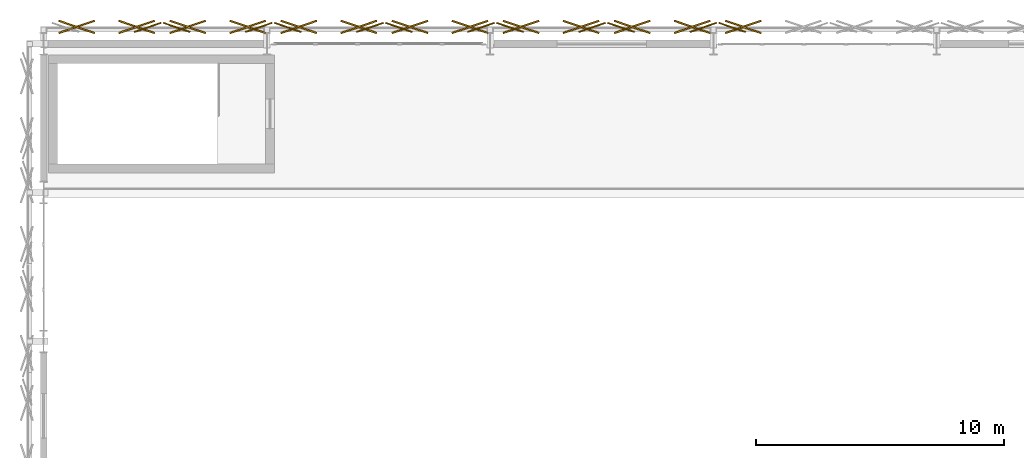
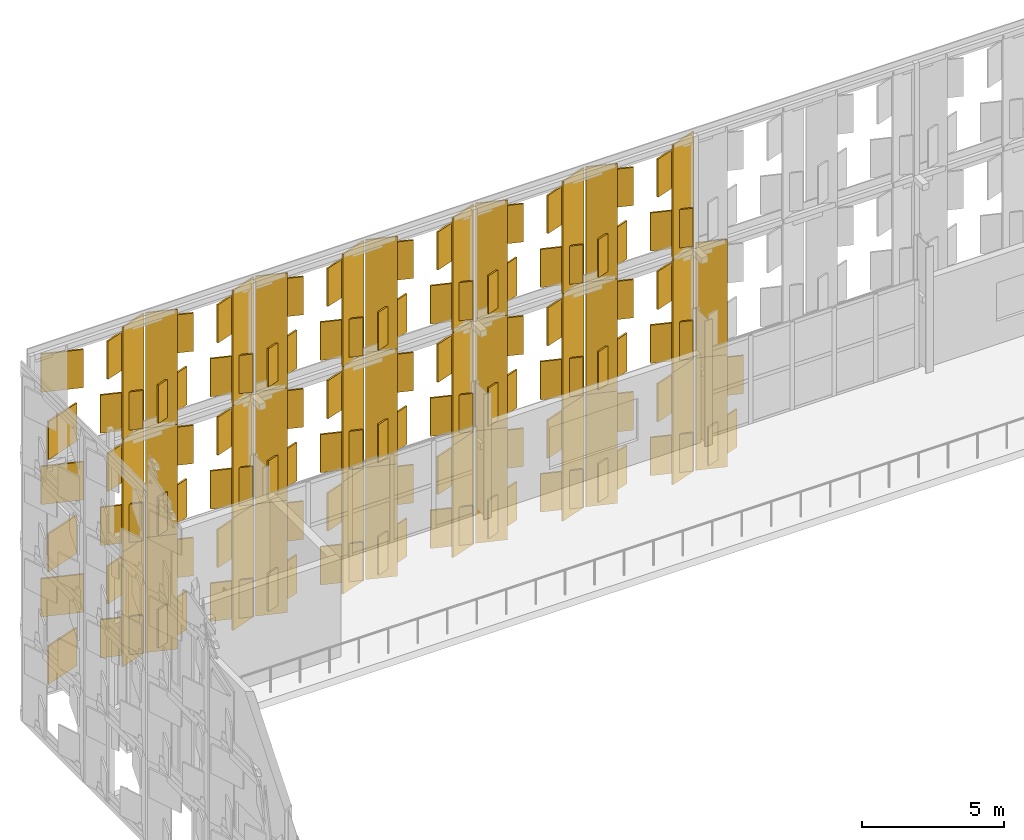
# One storey, part 195 of 210: 109 coverings.
"""IFC4 building model written with IfcOpenShell, lengths in metres."""

from ifc_helpers import new_model, si_unit, direction, frame, origin, origin_2d, place, context, subcontext, project, spatial, rectangle, extrude, material, layer, layer_set, type_object, element, save


model = new_model("IFC4")

# Units and contexts
model_context = context("Model", 3, precision=1e-05, world=origin(), true_north=direction((0.0, 1.0)))
body_context = subcontext(model_context, "Body", "Model", "MODEL_VIEW")
ifc_project = project(units=[si_unit("LENGTHUNIT", "METRE"), si_unit("AREAUNIT", "SQUARE_METRE"), si_unit("VOLUMEUNIT", "CUBIC_METRE"), si_unit("PLANEANGLEUNIT", "RADIAN"), si_unit("MASSUNIT", "GRAM", prefix="KILO")], contexts=[model_context])

# Site, building, storey
site_placement = place(None, origin())
site = spatial("IfcSite", under=ifc_project, at=site_placement, CompositionType="ELEMENT")
building_placement = place(site_placement, origin())
building = spatial("IfcBuilding", under=site, at=building_placement, Name="Kaldris Quays Convention Centre", CompositionType="ELEMENT")
storey_placement = place(building_placement, frame((0.0, 0.0, 6.0)))
storey = spatial("IfcBuildingStorey", under=building, at=storey_placement, Name="L01", CompositionType="ELEMENT", Elevation=6.0)

# Coverings
ifc_material = material(Name="Alabaster white star-pierced anodized aluminium panel", Category="aluminium")
ifc_layer = layer(ifc_material, 0.044921875)
ifc_layer_set = layer_set([ifc_layer], Name="Alabaster white star-pierced anodized aluminium panel")
covering_type = type_object("IfcCoveringType", Name="STAR PIERCED WHITE FOLDED SCREEN CL01", PredefinedType="CLADDING", material=ifc_layer_set)
covering_1_placement = place(storey_placement, frame((24.1962890625, 140.659912109375, -1.91015625), z_axis=(0.0, 0.0, 1.0), x_axis=(0.945518575599, 0.325568154457, 0.0)))
element("IfcCovering", 1, at=covering_1_placement, inside=storey, type_object=covering_type, Name="V1N Folded White Screen Stile 572", PredefinedType="CLADDING", context=body_context, shape_type="SweptSolid", body=[
    extrude(rectangle(XDim=1.136962890625, YDim=0.054931640625, at=origin_2d()), origin(), (0.0, 0.0, 1.0), 4.952880859375),
])
for number, where, z_axis, x_axis, name in (
    (2, (21.330078125, 140.679931640625, -1.559814453125), (0.0, 0.0, 1.0), (0.945518575599, 0.325568154457, 0.0), "V1N Carved Star Corner Facet 573"),
    (3, (21.330078125, 140.679931640625, 1.0498046875), (0.0, 0.0, 1.0), (0.945518575599, -0.325568154457, 0.0), "V1N Carved Star Corner Facet 574"),
    (4, (23.74853515625, 140.679931640625, -1.559814453125), (0.0, 0.0, 1.0), (0.945518575599, -0.325568154457, 0.0), "V1N Carved Star Corner Facet 575"),
    (5, (23.74853515625, 140.679931640625, 1.0498046875), (0.0, 0.0, 1.0), (0.945518575599, 0.325568154457, 0.0), "V1N Carved Star Corner Facet 576"),
):
    element("IfcCovering", number, at=place(storey_placement, frame(where, z_axis=z_axis, x_axis=x_axis)), inside=storey, type_object=covering_type, Name=name, PredefinedType="CLADDING", context=body_context, shape_type="SweptSolid", body=[
        extrude(rectangle(XDim=1.52294921875, YDim=0.06494140625, at=origin_2d()), origin(), (0.0, 0.0, 1.0), 1.64306640625),
    ])
covering_2_placement = place(storey_placement, frame((24.1962890625, 140.659912109375, 2.9228515625), z_axis=(0.0, 0.0, 1.0), x_axis=(0.945518575599, 0.325568154457, 0.0)))
element("IfcCovering", 6, at=covering_2_placement, inside=storey, type_object=covering_type, Name="V1N Folded White Screen Stile 578", PredefinedType="CLADDING", context=body_context, shape_type="SweptSolid", body=[
    extrude(rectangle(XDim=1.136962890625, YDim=0.054931640625, at=origin_2d()), origin(), (0.0, 0.0, 1.0), 4.9541015625),
])
for number, where, z_axis, x_axis, name in (
    (7, (21.330078125, 140.679931640625, 3.272705078125), (0.0, 0.0, 1.0), (0.945518575599, 0.325568154457, 0.0), "V1N Carved Star Corner Facet 579"),
    (8, (21.330078125, 140.679931640625, 5.883056640625), (0.0, 0.0, 1.0), (0.945518575599, -0.325568154457, 0.0), "V1N Carved Star Corner Facet 580"),
    (9, (23.74853515625, 140.679931640625, 3.272705078125), (0.0, 0.0, 1.0), (0.945518575599, -0.325568154457, 0.0), "V1N Carved Star Corner Facet 581"),
    (10, (23.74853515625, 140.679931640625, 5.883056640625), (0.0, 0.0, 1.0), (0.945518575599, 0.325568154457, 0.0), "V1N Carved Star Corner Facet 582"),
):
    element("IfcCovering", number, at=place(storey_placement, frame(where, z_axis=z_axis, x_axis=x_axis)), inside=storey, type_object=covering_type, Name=name, PredefinedType="CLADDING", context=body_context, shape_type="SweptSolid", body=[
        extrude(rectangle(XDim=1.52294921875, YDim=0.06494140625, at=origin_2d()), origin(), (0.0, 0.0, 1.0), 1.64404296875),
    ])
covering_3_placement = place(storey_placement, frame((24.1962890625, 140.659912109375, 7.7568359375), z_axis=(0.0, 0.0, 1.0), x_axis=(0.945518575599, 0.325568154457, 0.0)))
element("IfcCovering", 11, at=covering_3_placement, inside=storey, type_object=covering_type, Name="V1N Folded White Screen Stile 584", PredefinedType="CLADDING", context=body_context, shape_type="SweptSolid", body=[
    extrude(rectangle(XDim=1.136962890625, YDim=0.054931640625, at=origin_2d()), origin(), (0.0, 0.0, 1.0), 4.952880859375),
])
for number, where, z_axis, x_axis, name in (
    (12, (21.330078125, 140.679931640625, 8.107177734375), (0.0, 0.0, 1.0), (0.945518575599, 0.325568154457, 0.0), "V1N Carved Star Corner Facet 585"),
    (13, (21.330078125, 140.679931640625, 10.716796875), (0.0, 0.0, 1.0), (0.945518575599, -0.325568154457, 0.0), "V1N Carved Star Corner Facet 586"),
    (14, (23.74853515625, 140.679931640625, 8.107177734375), (0.0, 0.0, 1.0), (0.945518575599, -0.325568154457, 0.0), "V1N Carved Star Corner Facet 587"),
    (15, (23.74853515625, 140.679931640625, 10.716796875), (0.0, 0.0, 1.0), (0.945518575599, 0.325568154457, 0.0), "V1N Carved Star Corner Facet 588"),
):
    element("IfcCovering", number, at=place(storey_placement, frame(where, z_axis=z_axis, x_axis=x_axis)), inside=storey, type_object=covering_type, Name=name, PredefinedType="CLADDING", context=body_context, shape_type="SweptSolid", body=[
        extrude(rectangle(XDim=1.52294921875, YDim=0.06494140625, at=origin_2d()), origin(), (0.0, 0.0, 1.0), 1.64306640625),
    ])
for number, where, z_axis, x_axis, name in (
    (16, (25.36083984375, 140.659912109375, -1.91015625), (0.0, 0.0, 1.0), (0.945518575599, -0.325568154457, 0.0), "V1N Folded White Screen Stile 589"),
    (17, (28.6748046875, 140.659912109375, -1.91015625), (0.0, 0.0, 1.0), (0.945518575599, 0.325568154457, 0.0), "V1N Folded White Screen Stile 590"),
):
    element("IfcCovering", number, at=place(storey_placement, frame(where, z_axis=z_axis, x_axis=x_axis)), inside=storey, type_object=covering_type, Name=name, PredefinedType="CLADDING", context=body_context, shape_type="SweptSolid", body=[
        extrude(rectangle(XDim=1.136962890625, YDim=0.054931640625, at=origin_2d()), origin(), (0.0, 0.0, 1.0), 4.952880859375),
    ])
for number, where, z_axis, x_axis, name in (
    (18, (25.80859375, 140.679931640625, -1.559814453125), (0.0, 0.0, 1.0), (0.945518575599, 0.325568154457, 0.0), "V1N Carved Star Corner Facet 591"),
    (19, (25.80859375, 140.679931640625, 1.0498046875), (0.0, 0.0, 1.0), (0.945518575599, -0.325568154457, 0.0), "V1N Carved Star Corner Facet 592"),
    (20, (28.22705078125, 140.679931640625, -1.559814453125), (0.0, 0.0, 1.0), (0.945518575599, -0.325568154457, 0.0), "V1N Carved Star Corner Facet 593"),
    (21, (28.22705078125, 140.679931640625, 1.0498046875), (0.0, 0.0, 1.0), (0.945518575599, 0.325568154457, 0.0), "V1N Carved Star Corner Facet 594"),
):
    element("IfcCovering", number, at=place(storey_placement, frame(where, z_axis=z_axis, x_axis=x_axis)), inside=storey, type_object=covering_type, Name=name, PredefinedType="CLADDING", context=body_context, shape_type="SweptSolid", body=[
        extrude(rectangle(XDim=1.52294921875, YDim=0.06494140625, at=origin_2d()), origin(), (0.0, 0.0, 1.0), 1.64306640625),
    ])
for number, where, z_axis, x_axis, name in (
    (22, (25.36083984375, 140.659912109375, 2.9228515625), (0.0, 0.0, 1.0), (0.945518575599, -0.325568154457, 0.0), "V1N Folded White Screen Stile 595"),
    (23, (28.6748046875, 140.659912109375, 2.9228515625), (0.0, 0.0, 1.0), (0.945518575599, 0.325568154457, 0.0), "V1N Folded White Screen Stile 596"),
):
    element("IfcCovering", number, at=place(storey_placement, frame(where, z_axis=z_axis, x_axis=x_axis)), inside=storey, type_object=covering_type, Name=name, PredefinedType="CLADDING", context=body_context, shape_type="SweptSolid", body=[
        extrude(rectangle(XDim=1.136962890625, YDim=0.054931640625, at=origin_2d()), origin(), (0.0, 0.0, 1.0), 4.9541015625),
    ])
for number, where, z_axis, x_axis, name in (
    (24, (25.80859375, 140.679931640625, 3.272705078125), (0.0, 0.0, 1.0), (0.945518575599, 0.325568154457, 0.0), "V1N Carved Star Corner Facet 597"),
    (25, (25.80859375, 140.679931640625, 5.883056640625), (0.0, 0.0, 1.0), (0.945518575599, -0.325568154457, 0.0), "V1N Carved Star Corner Facet 598"),
    (26, (28.22705078125, 140.679931640625, 3.272705078125), (0.0, 0.0, 1.0), (0.945518575599, -0.325568154457, 0.0), "V1N Carved Star Corner Facet 599"),
    (27, (28.22705078125, 140.679931640625, 5.883056640625), (0.0, 0.0, 1.0), (0.945518575599, 0.325568154457, 0.0), "V1N Carved Star Corner Facet 600"),
):
    element("IfcCovering", number, at=place(storey_placement, frame(where, z_axis=z_axis, x_axis=x_axis)), inside=storey, type_object=covering_type, Name=name, PredefinedType="CLADDING", context=body_context, shape_type="SweptSolid", body=[
        extrude(rectangle(XDim=1.52294921875, YDim=0.06494140625, at=origin_2d()), origin(), (0.0, 0.0, 1.0), 1.64404296875),
    ])
for number, where, z_axis, x_axis, name in (
    (28, (25.36083984375, 140.659912109375, 7.7568359375), (0.0, 0.0, 1.0), (0.945518575599, -0.325568154457, 0.0), "V1N Folded White Screen Stile 601"),
    (29, (28.6748046875, 140.659912109375, 7.7568359375), (0.0, 0.0, 1.0), (0.945518575599, 0.325568154457, 0.0), "V1N Folded White Screen Stile 602"),
):
    element("IfcCovering", number, at=place(storey_placement, frame(where, z_axis=z_axis, x_axis=x_axis)), inside=storey, type_object=covering_type, Name=name, PredefinedType="CLADDING", context=body_context, shape_type="SweptSolid", body=[
        extrude(rectangle(XDim=1.136962890625, YDim=0.054931640625, at=origin_2d()), origin(), (0.0, 0.0, 1.0), 4.952880859375),
    ])
for number, where, z_axis, x_axis, name in (
    (30, (25.80859375, 140.679931640625, 8.107177734375), (0.0, 0.0, 1.0), (0.945518575599, 0.325568154457, 0.0), "V1N Carved Star Corner Facet 603"),
    (31, (25.80859375, 140.679931640625, 10.716796875), (0.0, 0.0, 1.0), (0.945518575599, -0.325568154457, 0.0), "V1N Carved Star Corner Facet 604"),
    (32, (28.22705078125, 140.679931640625, 8.107177734375), (0.0, 0.0, 1.0), (0.945518575599, -0.325568154457, 0.0), "V1N Carved Star Corner Facet 605"),
    (33, (28.22705078125, 140.679931640625, 10.716796875), (0.0, 0.0, 1.0), (0.945518575599, 0.325568154457, 0.0), "V1N Carved Star Corner Facet 606"),
):
    element("IfcCovering", number, at=place(storey_placement, frame(where, z_axis=z_axis, x_axis=x_axis)), inside=storey, type_object=covering_type, Name=name, PredefinedType="CLADDING", context=body_context, shape_type="SweptSolid", body=[
        extrude(rectangle(XDim=1.52294921875, YDim=0.06494140625, at=origin_2d()), origin(), (0.0, 0.0, 1.0), 1.64306640625),
    ])
for number, where, z_axis, x_axis, name in (
    (34, (29.83935546875, 140.659912109375, -1.91015625), (0.0, 0.0, 1.0), (0.945518575599, -0.325568154457, 0.0), "V1N Folded White Screen Stile 607"),
    (35, (33.153564453125, 140.659912109375, -1.91015625), (0.0, 0.0, 1.0), (0.945518575599, 0.325568154457, 0.0), "V1N Folded White Screen Stile 608"),
):
    element("IfcCovering", number, at=place(storey_placement, frame(where, z_axis=z_axis, x_axis=x_axis)), inside=storey, type_object=covering_type, Name=name, PredefinedType="CLADDING", context=body_context, shape_type="SweptSolid", body=[
        extrude(rectangle(XDim=1.136962890625, YDim=0.054931640625, at=origin_2d()), origin(), (0.0, 0.0, 1.0), 4.952880859375),
    ])
for number, where, z_axis, x_axis, name in (
    (36, (30.287109375, 140.679931640625, -1.559814453125), (0.0, 0.0, 1.0), (0.945518575599, 0.325568154457, 0.0), "V1N Carved Star Corner Facet 609"),
    (37, (30.287109375, 140.679931640625, 1.0498046875), (0.0, 0.0, 1.0), (0.945518575599, -0.325568154457, 0.0), "V1N Carved Star Corner Facet 610"),
    (38, (32.70556640625, 140.679931640625, -1.559814453125), (0.0, 0.0, 1.0), (0.945518575599, -0.325568154457, 0.0), "V1N Carved Star Corner Facet 611"),
    (39, (32.70556640625, 140.679931640625, 1.0498046875), (0.0, 0.0, 1.0), (0.945518575599, 0.325568154457, 0.0), "V1N Carved Star Corner Facet 612"),
):
    element("IfcCovering", number, at=place(storey_placement, frame(where, z_axis=z_axis, x_axis=x_axis)), inside=storey, type_object=covering_type, Name=name, PredefinedType="CLADDING", context=body_context, shape_type="SweptSolid", body=[
        extrude(rectangle(XDim=1.52294921875, YDim=0.06494140625, at=origin_2d()), origin(), (0.0, 0.0, 1.0), 1.64306640625),
    ])
for number, where, z_axis, x_axis, name in (
    (40, (29.83935546875, 140.659912109375, 2.9228515625), (0.0, 0.0, 1.0), (0.945518575599, -0.325568154457, 0.0), "V1N Folded White Screen Stile 613"),
    (41, (33.153564453125, 140.659912109375, 2.9228515625), (0.0, 0.0, 1.0), (0.945518575599, 0.325568154457, 0.0), "V1N Folded White Screen Stile 614"),
):
    element("IfcCovering", number, at=place(storey_placement, frame(where, z_axis=z_axis, x_axis=x_axis)), inside=storey, type_object=covering_type, Name=name, PredefinedType="CLADDING", context=body_context, shape_type="SweptSolid", body=[
        extrude(rectangle(XDim=1.136962890625, YDim=0.054931640625, at=origin_2d()), origin(), (0.0, 0.0, 1.0), 4.9541015625),
    ])
for number, where, z_axis, x_axis, name in (
    (42, (30.287109375, 140.679931640625, 3.272705078125), (0.0, 0.0, 1.0), (0.945518575599, 0.325568154457, 0.0), "V1N Carved Star Corner Facet 615"),
    (43, (30.287109375, 140.679931640625, 5.883056640625), (0.0, 0.0, 1.0), (0.945518575599, -0.325568154457, 0.0), "V1N Carved Star Corner Facet 616"),
    (44, (32.70556640625, 140.679931640625, 3.272705078125), (0.0, 0.0, 1.0), (0.945518575599, -0.325568154457, 0.0), "V1N Carved Star Corner Facet 617"),
    (45, (32.70556640625, 140.679931640625, 5.883056640625), (0.0, 0.0, 1.0), (0.945518575599, 0.325568154457, 0.0), "V1N Carved Star Corner Facet 618"),
):
    element("IfcCovering", number, at=place(storey_placement, frame(where, z_axis=z_axis, x_axis=x_axis)), inside=storey, type_object=covering_type, Name=name, PredefinedType="CLADDING", context=body_context, shape_type="SweptSolid", body=[
        extrude(rectangle(XDim=1.52294921875, YDim=0.06494140625, at=origin_2d()), origin(), (0.0, 0.0, 1.0), 1.64404296875),
    ])
for number, where, z_axis, x_axis, name in (
    (46, (29.83935546875, 140.659912109375, 7.7568359375), (0.0, 0.0, 1.0), (0.945518575599, -0.325568154457, 0.0), "V1N Folded White Screen Stile 619"),
    (47, (33.153564453125, 140.659912109375, 7.7568359375), (0.0, 0.0, 1.0), (0.945518575599, 0.325568154457, 0.0), "V1N Folded White Screen Stile 620"),
):
    element("IfcCovering", number, at=place(storey_placement, frame(where, z_axis=z_axis, x_axis=x_axis)), inside=storey, type_object=covering_type, Name=name, PredefinedType="CLADDING", context=body_context, shape_type="SweptSolid", body=[
        extrude(rectangle(XDim=1.136962890625, YDim=0.054931640625, at=origin_2d()), origin(), (0.0, 0.0, 1.0), 4.952880859375),
    ])
for number, where, z_axis, x_axis, name in (
    (48, (30.287109375, 140.679931640625, 8.107177734375), (0.0, 0.0, 1.0), (0.945518575599, 0.325568154457, 0.0), "V1N Carved Star Corner Facet 621"),
    (49, (30.287109375, 140.679931640625, 10.716796875), (0.0, 0.0, 1.0), (0.945518575599, -0.325568154457, 0.0), "V1N Carved Star Corner Facet 622"),
    (50, (32.70556640625, 140.679931640625, 8.107177734375), (0.0, 0.0, 1.0), (0.945518575599, -0.325568154457, 0.0), "V1N Carved Star Corner Facet 623"),
    (51, (32.70556640625, 140.679931640625, 10.716796875), (0.0, 0.0, 1.0), (0.945518575599, 0.325568154457, 0.0), "V1N Carved Star Corner Facet 624"),
):
    element("IfcCovering", number, at=place(storey_placement, frame(where, z_axis=z_axis, x_axis=x_axis)), inside=storey, type_object=covering_type, Name=name, PredefinedType="CLADDING", context=body_context, shape_type="SweptSolid", body=[
        extrude(rectangle(XDim=1.52294921875, YDim=0.06494140625, at=origin_2d()), origin(), (0.0, 0.0, 1.0), 1.64306640625),
    ])
for number, where, z_axis, x_axis, name in (
    (52, (34.31787109375, 140.659912109375, -1.91015625), (0.0, 0.0, 1.0), (0.945518575599, -0.325568154457, 0.0), "V1N Folded White Screen Stile 625"),
    (53, (37.632080078125, 140.659912109375, -1.91015625), (0.0, 0.0, 1.0), (0.945518575599, 0.325568154457, 0.0), "V1N Folded White Screen Stile 626"),
):
    element("IfcCovering", number, at=place(storey_placement, frame(where, z_axis=z_axis, x_axis=x_axis)), inside=storey, type_object=covering_type, Name=name, PredefinedType="CLADDING", context=body_context, shape_type="SweptSolid", body=[
        extrude(rectangle(XDim=1.136962890625, YDim=0.054931640625, at=origin_2d()), origin(), (0.0, 0.0, 1.0), 4.952880859375),
    ])
for number, where, z_axis, x_axis, name in (
    (54, (34.765869140625, 140.679931640625, -1.559814453125), (0.0, 0.0, 1.0), (0.945518575599, 0.325568154457, 0.0), "V1N Carved Star Corner Facet 627"),
    (55, (34.765869140625, 140.679931640625, 1.0498046875), (0.0, 0.0, 1.0), (0.945518575599, -0.325568154457, 0.0), "V1N Carved Star Corner Facet 628"),
    (56, (37.18408203125, 140.679931640625, -1.559814453125), (0.0, 0.0, 1.0), (0.945518575599, -0.325568154457, 0.0), "V1N Carved Star Corner Facet 629"),
    (57, (37.18408203125, 140.679931640625, 1.0498046875), (0.0, 0.0, 1.0), (0.945518575599, 0.325568154457, 0.0), "V1N Carved Star Corner Facet 630"),
):
    element("IfcCovering", number, at=place(storey_placement, frame(where, z_axis=z_axis, x_axis=x_axis)), inside=storey, type_object=covering_type, Name=name, PredefinedType="CLADDING", context=body_context, shape_type="SweptSolid", body=[
        extrude(rectangle(XDim=1.52294921875, YDim=0.06494140625, at=origin_2d()), origin(), (0.0, 0.0, 1.0), 1.64306640625),
    ])
for number, where, z_axis, x_axis, name in (
    (58, (34.31787109375, 140.659912109375, 2.9228515625), (0.0, 0.0, 1.0), (0.945518575599, -0.325568154457, 0.0), "V1N Folded White Screen Stile 631"),
    (59, (37.632080078125, 140.659912109375, 2.9228515625), (0.0, 0.0, 1.0), (0.945518575599, 0.325568154457, 0.0), "V1N Folded White Screen Stile 632"),
):
    element("IfcCovering", number, at=place(storey_placement, frame(where, z_axis=z_axis, x_axis=x_axis)), inside=storey, type_object=covering_type, Name=name, PredefinedType="CLADDING", context=body_context, shape_type="SweptSolid", body=[
        extrude(rectangle(XDim=1.136962890625, YDim=0.054931640625, at=origin_2d()), origin(), (0.0, 0.0, 1.0), 4.9541015625),
    ])
for number, where, z_axis, x_axis, name in (
    (60, (34.765869140625, 140.679931640625, 3.272705078125), (0.0, 0.0, 1.0), (0.945518575599, 0.325568154457, 0.0), "V1N Carved Star Corner Facet 633"),
    (61, (34.765869140625, 140.679931640625, 5.883056640625), (0.0, 0.0, 1.0), (0.945518575599, -0.325568154457, 0.0), "V1N Carved Star Corner Facet 634"),
    (62, (37.18408203125, 140.679931640625, 3.272705078125), (0.0, 0.0, 1.0), (0.945518575599, -0.325568154457, 0.0), "V1N Carved Star Corner Facet 635"),
    (63, (37.18408203125, 140.679931640625, 5.883056640625), (0.0, 0.0, 1.0), (0.945518575599, 0.325568154457, 0.0), "V1N Carved Star Corner Facet 636"),
):
    element("IfcCovering", number, at=place(storey_placement, frame(where, z_axis=z_axis, x_axis=x_axis)), inside=storey, type_object=covering_type, Name=name, PredefinedType="CLADDING", context=body_context, shape_type="SweptSolid", body=[
        extrude(rectangle(XDim=1.52294921875, YDim=0.06494140625, at=origin_2d()), origin(), (0.0, 0.0, 1.0), 1.64404296875),
    ])
for number, where, z_axis, x_axis, name in (
    (64, (34.31787109375, 140.659912109375, 7.7568359375), (0.0, 0.0, 1.0), (0.945518575599, -0.325568154457, 0.0), "V1N Folded White Screen Stile 637"),
    (65, (37.632080078125, 140.659912109375, 7.7568359375), (0.0, 0.0, 1.0), (0.945518575599, 0.325568154457, 0.0), "V1N Folded White Screen Stile 638"),
):
    element("IfcCovering", number, at=place(storey_placement, frame(where, z_axis=z_axis, x_axis=x_axis)), inside=storey, type_object=covering_type, Name=name, PredefinedType="CLADDING", context=body_context, shape_type="SweptSolid", body=[
        extrude(rectangle(XDim=1.136962890625, YDim=0.054931640625, at=origin_2d()), origin(), (0.0, 0.0, 1.0), 4.952880859375),
    ])
for number, where, z_axis, x_axis, name in (
    (66, (34.765869140625, 140.679931640625, 8.107177734375), (0.0, 0.0, 1.0), (0.945518575599, 0.325568154457, 0.0), "V1N Carved Star Corner Facet 639"),
    (67, (34.765869140625, 140.679931640625, 10.716796875), (0.0, 0.0, 1.0), (0.945518575599, -0.325568154457, 0.0), "V1N Carved Star Corner Facet 640"),
    (68, (37.18408203125, 140.679931640625, 8.107177734375), (0.0, 0.0, 1.0), (0.945518575599, -0.325568154457, 0.0), "V1N Carved Star Corner Facet 641"),
    (69, (37.18408203125, 140.679931640625, 10.716796875), (0.0, 0.0, 1.0), (0.945518575599, 0.325568154457, 0.0), "V1N Carved Star Corner Facet 642"),
):
    element("IfcCovering", number, at=place(storey_placement, frame(where, z_axis=z_axis, x_axis=x_axis)), inside=storey, type_object=covering_type, Name=name, PredefinedType="CLADDING", context=body_context, shape_type="SweptSolid", body=[
        extrude(rectangle(XDim=1.52294921875, YDim=0.06494140625, at=origin_2d()), origin(), (0.0, 0.0, 1.0), 1.64306640625),
    ])
for number, where, z_axis, x_axis, name in (
    (70, (38.79638671875, 140.659912109375, -1.91015625), (0.0, 0.0, 1.0), (0.945518575599, -0.325568154457, 0.0), "V1N Folded White Screen Stile 643"),
    (71, (42.110595703125, 140.659912109375, -1.91015625), (0.0, 0.0, 1.0), (0.945518575599, 0.325568154457, 0.0), "V1N Folded White Screen Stile 644"),
):
    element("IfcCovering", number, at=place(storey_placement, frame(where, z_axis=z_axis, x_axis=x_axis)), inside=storey, type_object=covering_type, Name=name, PredefinedType="CLADDING", context=body_context, shape_type="SweptSolid", body=[
        extrude(rectangle(XDim=1.136962890625, YDim=0.054931640625, at=origin_2d()), origin(), (0.0, 0.0, 1.0), 4.952880859375),
    ])
for number, where, z_axis, x_axis, name in (
    (72, (39.244384765625, 140.679931640625, -1.559814453125), (0.0, 0.0, 1.0), (0.945518575599, 0.325568154457, 0.0), "V1N Carved Star Corner Facet 645"),
    (73, (39.244384765625, 140.679931640625, 1.0498046875), (0.0, 0.0, 1.0), (0.945518575599, -0.325568154457, 0.0), "V1N Carved Star Corner Facet 646"),
    (74, (41.662841796875, 140.679931640625, -1.559814453125), (0.0, 0.0, 1.0), (0.945518575599, -0.325568154457, 0.0), "V1N Carved Star Corner Facet 647"),
    (75, (41.662841796875, 140.679931640625, 1.0498046875), (0.0, 0.0, 1.0), (0.945518575599, 0.325568154457, 0.0), "V1N Carved Star Corner Facet 648"),
):
    element("IfcCovering", number, at=place(storey_placement, frame(where, z_axis=z_axis, x_axis=x_axis)), inside=storey, type_object=covering_type, Name=name, PredefinedType="CLADDING", context=body_context, shape_type="SweptSolid", body=[
        extrude(rectangle(XDim=1.52294921875, YDim=0.06494140625, at=origin_2d()), origin(), (0.0, 0.0, 1.0), 1.64306640625),
    ])
for number, where, z_axis, x_axis, name in (
    (76, (38.79638671875, 140.659912109375, 2.9228515625), (0.0, 0.0, 1.0), (0.945518575599, -0.325568154457, 0.0), "V1N Folded White Screen Stile 649"),
    (77, (42.110595703125, 140.659912109375, 2.9228515625), (0.0, 0.0, 1.0), (0.945518575599, 0.325568154457, 0.0), "V1N Folded White Screen Stile 650"),
):
    element("IfcCovering", number, at=place(storey_placement, frame(where, z_axis=z_axis, x_axis=x_axis)), inside=storey, type_object=covering_type, Name=name, PredefinedType="CLADDING", context=body_context, shape_type="SweptSolid", body=[
        extrude(rectangle(XDim=1.136962890625, YDim=0.054931640625, at=origin_2d()), origin(), (0.0, 0.0, 1.0), 4.9541015625),
    ])
for number, where, z_axis, x_axis, name in (
    (78, (39.244384765625, 140.679931640625, 3.272705078125), (0.0, 0.0, 1.0), (0.945518575599, 0.325568154457, 0.0), "V1N Carved Star Corner Facet 651"),
    (79, (39.244384765625, 140.679931640625, 5.883056640625), (0.0, 0.0, 1.0), (0.945518575599, -0.325568154457, 0.0), "V1N Carved Star Corner Facet 652"),
    (80, (41.662841796875, 140.679931640625, 3.272705078125), (0.0, 0.0, 1.0), (0.945518575599, -0.325568154457, 0.0), "V1N Carved Star Corner Facet 653"),
    (81, (41.662841796875, 140.679931640625, 5.883056640625), (0.0, 0.0, 1.0), (0.945518575599, 0.325568154457, 0.0), "V1N Carved Star Corner Facet 654"),
):
    element("IfcCovering", number, at=place(storey_placement, frame(where, z_axis=z_axis, x_axis=x_axis)), inside=storey, type_object=covering_type, Name=name, PredefinedType="CLADDING", context=body_context, shape_type="SweptSolid", body=[
        extrude(rectangle(XDim=1.52294921875, YDim=0.06494140625, at=origin_2d()), origin(), (0.0, 0.0, 1.0), 1.64404296875),
    ])
for number, where, z_axis, x_axis, name in (
    (82, (38.79638671875, 140.659912109375, 7.7568359375), (0.0, 0.0, 1.0), (0.945518575599, -0.325568154457, 0.0), "V1N Folded White Screen Stile 655"),
    (83, (42.110595703125, 140.659912109375, 7.7568359375), (0.0, 0.0, 1.0), (0.945518575599, 0.325568154457, 0.0), "V1N Folded White Screen Stile 656"),
):
    element("IfcCovering", number, at=place(storey_placement, frame(where, z_axis=z_axis, x_axis=x_axis)), inside=storey, type_object=covering_type, Name=name, PredefinedType="CLADDING", context=body_context, shape_type="SweptSolid", body=[
        extrude(rectangle(XDim=1.136962890625, YDim=0.054931640625, at=origin_2d()), origin(), (0.0, 0.0, 1.0), 4.952880859375),
    ])
for number, where, z_axis, x_axis, name in (
    (84, (39.244384765625, 140.679931640625, 8.107177734375), (0.0, 0.0, 1.0), (0.945518575599, 0.325568154457, 0.0), "V1N Carved Star Corner Facet 657"),
    (85, (39.244384765625, 140.679931640625, 10.716796875), (0.0, 0.0, 1.0), (0.945518575599, -0.325568154457, 0.0), "V1N Carved Star Corner Facet 658"),
    (86, (41.662841796875, 140.679931640625, 8.107177734375), (0.0, 0.0, 1.0), (0.945518575599, -0.325568154457, 0.0), "V1N Carved Star Corner Facet 659"),
    (87, (41.662841796875, 140.679931640625, 10.716796875), (0.0, 0.0, 1.0), (0.945518575599, 0.325568154457, 0.0), "V1N Carved Star Corner Facet 660"),
):
    element("IfcCovering", number, at=place(storey_placement, frame(where, z_axis=z_axis, x_axis=x_axis)), inside=storey, type_object=covering_type, Name=name, PredefinedType="CLADDING", context=body_context, shape_type="SweptSolid", body=[
        extrude(rectangle(XDim=1.52294921875, YDim=0.06494140625, at=origin_2d()), origin(), (0.0, 0.0, 1.0), 1.64306640625),
    ])
for number, where, z_axis, x_axis, name in (
    (88, (43.275146484375, 140.659912109375, -1.91015625), (0.0, 0.0, 1.0), (0.945518575599, -0.325568154457, 0.0), "V1N Folded White Screen Stile 661"),
    (89, (46.589111328125, 140.659912109375, -1.91015625), (0.0, 0.0, 1.0), (0.945518575599, 0.325568154457, 0.0), "V1N Folded White Screen Stile 662"),
):
    element("IfcCovering", number, at=place(storey_placement, frame(where, z_axis=z_axis, x_axis=x_axis)), inside=storey, type_object=covering_type, Name=name, PredefinedType="CLADDING", context=body_context, shape_type="SweptSolid", body=[
        extrude(rectangle(XDim=1.136962890625, YDim=0.054931640625, at=origin_2d()), origin(), (0.0, 0.0, 1.0), 4.952880859375),
    ])
for number, where, z_axis, x_axis, name in (
    (90, (43.722900390625, 140.679931640625, -1.559814453125), (0.0, 0.0, 1.0), (0.945518575599, 0.325568154457, 0.0), "V1N Carved Star Corner Facet 663"),
    (91, (43.722900390625, 140.679931640625, 1.0498046875), (0.0, 0.0, 1.0), (0.945518575599, -0.325568154457, 0.0), "V1N Carved Star Corner Facet 664"),
    (92, (46.141357421875, 140.679931640625, -1.559814453125), (0.0, 0.0, 1.0), (0.945518575599, -0.325568154457, 0.0), "V1N Carved Star Corner Facet 665"),
    (93, (46.141357421875, 140.679931640625, 1.0498046875), (0.0, 0.0, 1.0), (0.945518575599, 0.325568154457, 0.0), "V1N Carved Star Corner Facet 666"),
):
    element("IfcCovering", number, at=place(storey_placement, frame(where, z_axis=z_axis, x_axis=x_axis)), inside=storey, type_object=covering_type, Name=name, PredefinedType="CLADDING", context=body_context, shape_type="SweptSolid", body=[
        extrude(rectangle(XDim=1.52294921875, YDim=0.06494140625, at=origin_2d()), origin(), (0.0, 0.0, 1.0), 1.64306640625),
    ])
for number, where, z_axis, x_axis, name in (
    (94, (43.275146484375, 140.659912109375, 2.9228515625), (0.0, 0.0, 1.0), (0.945518575599, -0.325568154457, 0.0), "V1N Folded White Screen Stile 667"),
    (95, (46.589111328125, 140.659912109375, 2.9228515625), (0.0, 0.0, 1.0), (0.945518575599, 0.325568154457, 0.0), "V1N Folded White Screen Stile 668"),
):
    element("IfcCovering", number, at=place(storey_placement, frame(where, z_axis=z_axis, x_axis=x_axis)), inside=storey, type_object=covering_type, Name=name, PredefinedType="CLADDING", context=body_context, shape_type="SweptSolid", body=[
        extrude(rectangle(XDim=1.136962890625, YDim=0.054931640625, at=origin_2d()), origin(), (0.0, 0.0, 1.0), 4.9541015625),
    ])
for number, where, z_axis, x_axis, name in (
    (96, (43.722900390625, 140.679931640625, 3.272705078125), (0.0, 0.0, 1.0), (0.945518575599, 0.325568154457, 0.0), "V1N Carved Star Corner Facet 669"),
    (97, (43.722900390625, 140.679931640625, 5.883056640625), (0.0, 0.0, 1.0), (0.945518575599, -0.325568154457, 0.0), "V1N Carved Star Corner Facet 670"),
    (98, (46.141357421875, 140.679931640625, 3.272705078125), (0.0, 0.0, 1.0), (0.945518575599, -0.325568154457, 0.0), "V1N Carved Star Corner Facet 671"),
    (99, (46.141357421875, 140.679931640625, 5.883056640625), (0.0, 0.0, 1.0), (0.945518575599, 0.325568154457, 0.0), "V1N Carved Star Corner Facet 672"),
):
    element("IfcCovering", number, at=place(storey_placement, frame(where, z_axis=z_axis, x_axis=x_axis)), inside=storey, type_object=covering_type, Name=name, PredefinedType="CLADDING", context=body_context, shape_type="SweptSolid", body=[
        extrude(rectangle(XDim=1.52294921875, YDim=0.06494140625, at=origin_2d()), origin(), (0.0, 0.0, 1.0), 1.64404296875),
    ])
for number, where, z_axis, x_axis, name in (
    (100, (43.275146484375, 140.659912109375, 7.7568359375), (0.0, 0.0, 1.0), (0.945518575599, -0.325568154457, 0.0), "V1N Folded White Screen Stile 673"),
    (101, (46.589111328125, 140.659912109375, 7.7568359375), (0.0, 0.0, 1.0), (0.945518575599, 0.325568154457, 0.0), "V1N Folded White Screen Stile 674"),
):
    element("IfcCovering", number, at=place(storey_placement, frame(where, z_axis=z_axis, x_axis=x_axis)), inside=storey, type_object=covering_type, Name=name, PredefinedType="CLADDING", context=body_context, shape_type="SweptSolid", body=[
        extrude(rectangle(XDim=1.136962890625, YDim=0.054931640625, at=origin_2d()), origin(), (0.0, 0.0, 1.0), 4.952880859375),
    ])
for number, where, z_axis, x_axis, name in (
    (102, (43.722900390625, 140.679931640625, 8.107177734375), (0.0, 0.0, 1.0), (0.945518575599, 0.325568154457, 0.0), "V1N Carved Star Corner Facet 675"),
    (103, (43.722900390625, 140.679931640625, 10.716796875), (0.0, 0.0, 1.0), (0.945518575599, -0.325568154457, 0.0), "V1N Carved Star Corner Facet 676"),
    (104, (46.141357421875, 140.679931640625, 8.107177734375), (0.0, 0.0, 1.0), (0.945518575599, -0.325568154457, 0.0), "V1N Carved Star Corner Facet 677"),
    (105, (46.141357421875, 140.679931640625, 10.716796875), (0.0, 0.0, 1.0), (0.945518575599, 0.325568154457, 0.0), "V1N Carved Star Corner Facet 678"),
):
    element("IfcCovering", number, at=place(storey_placement, frame(where, z_axis=z_axis, x_axis=x_axis)), inside=storey, type_object=covering_type, Name=name, PredefinedType="CLADDING", context=body_context, shape_type="SweptSolid", body=[
        extrude(rectangle(XDim=1.52294921875, YDim=0.06494140625, at=origin_2d()), origin(), (0.0, 0.0, 1.0), 1.64306640625),
    ])
covering_4_placement = place(storey_placement, frame((47.753662109375, 140.659912109375, -1.91015625), z_axis=(0.0, 0.0, 1.0), x_axis=(0.945518575599, -0.325568154457, 0.0)))
element("IfcCovering", 106, at=covering_4_placement, inside=storey, type_object=covering_type, Name="V1N Folded White Screen Stile 679", PredefinedType="CLADDING", context=body_context, shape_type="SweptSolid", body=[
    extrude(rectangle(XDim=1.136962890625, YDim=0.054931640625, at=origin_2d()), origin(), (0.0, 0.0, 1.0), 4.952880859375),
])
for number, where, z_axis, x_axis, name in (
    (107, (48.201416015625, 140.679931640625, -1.559814453125), (0.0, 0.0, 1.0), (0.945518575599, 0.325568154457, 0.0), "V1N Carved Star Corner Facet 681"),
    (108, (48.201416015625, 140.679931640625, 1.0498046875), (0.0, 0.0, 1.0), (0.945518575599, -0.325568154457, 0.0), "V1N Carved Star Corner Facet 682"),
):
    element("IfcCovering", number, at=place(storey_placement, frame(where, z_axis=z_axis, x_axis=x_axis)), inside=storey, type_object=covering_type, Name=name, PredefinedType="CLADDING", context=body_context, shape_type="SweptSolid", body=[
        extrude(rectangle(XDim=1.52294921875, YDim=0.06494140625, at=origin_2d()), origin(), (0.0, 0.0, 1.0), 1.64306640625),
    ])
covering_5_placement = place(storey_placement, frame((47.753662109375, 140.659912109375, 2.9228515625), z_axis=(0.0, 0.0, 1.0), x_axis=(0.945518575599, -0.325568154457, 0.0)))
element("IfcCovering", 109, at=covering_5_placement, inside=storey, type_object=covering_type, Name="V1N Folded White Screen Stile 685", PredefinedType="CLADDING", context=body_context, shape_type="SweptSolid", body=[
    extrude(rectangle(XDim=1.136962890625, YDim=0.054931640625, at=origin_2d()), origin(), (0.0, 0.0, 1.0), 4.9541015625),
])

save(model, "model.ifc")
